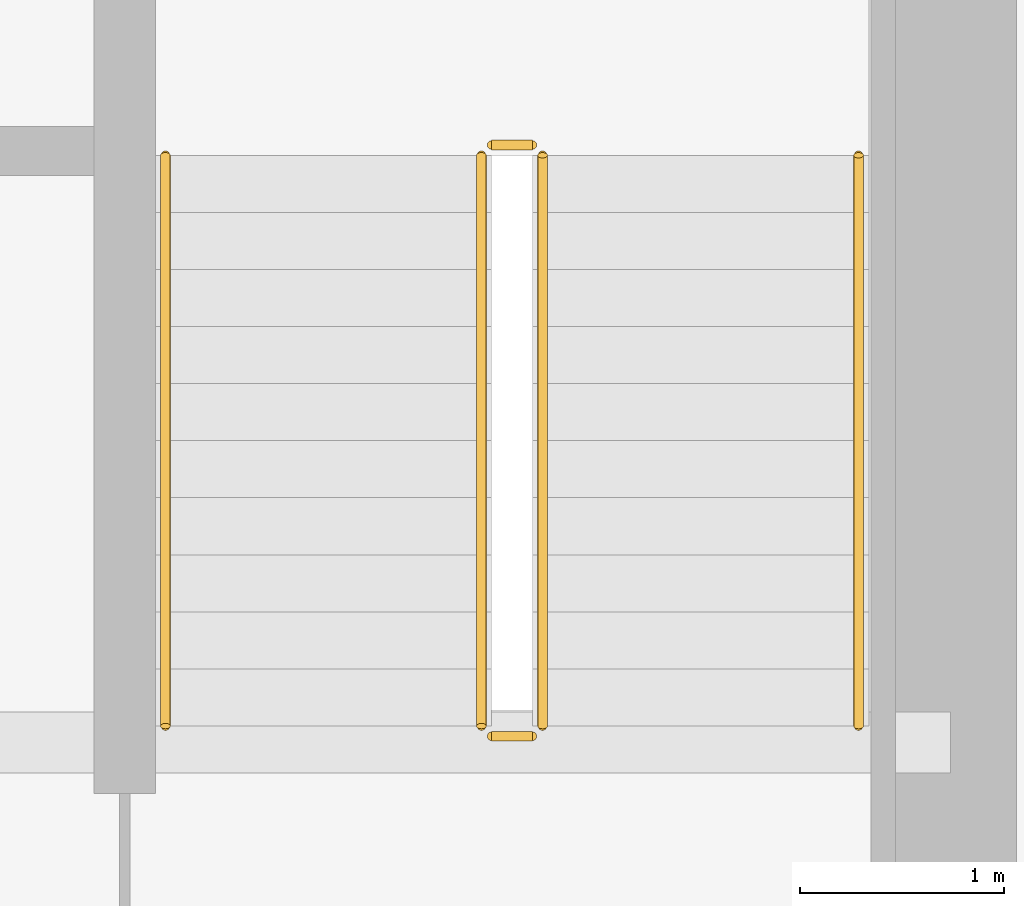
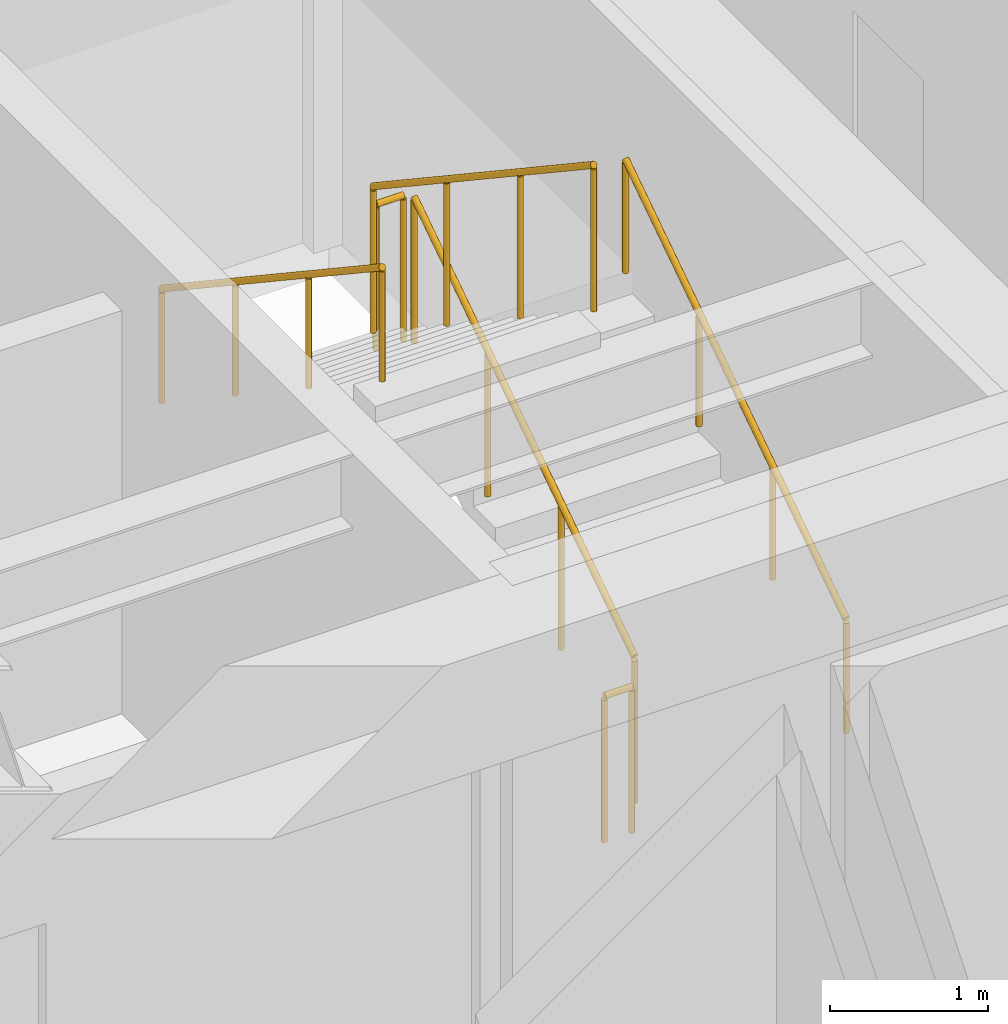
# One storey, part 30 of 30: 6 railings.
"""IFC4 building model written with IfcOpenShell, lengths in metres."""

from ifc_helpers import new_model, si_unit, direction, frame, origin, origin_2d, place, context, subcontext, project, spatial, circle, extrude, source, transform, mapped, material, type_object, type_shapes, element, save


model = new_model("IFC4")

# Units and contexts
model_context = context("Model", 3, precision=1e-05, world=origin(), true_north=direction((0.0, 1.0)))
body_context = subcontext(model_context, "Body", "Model", "MODEL_VIEW")
ifc_project = project(units=[si_unit("LENGTHUNIT", "METRE"), si_unit("AREAUNIT", "SQUARE_METRE"), si_unit("VOLUMEUNIT", "CUBIC_METRE"), si_unit("PLANEANGLEUNIT", "RADIAN"), si_unit("MASSUNIT", "GRAM", prefix="KILO")], contexts=[model_context])

# Site, building, storey
site_placement = place(None, origin())
site = spatial("IfcSite", under=ifc_project, at=site_placement, CompositionType="ELEMENT")
building_placement = place(site_placement, origin())
building = spatial("IfcBuilding", under=site, at=building_placement, Name="Haelvirn Gate Laboratories", CompositionType="ELEMENT")
storey_placement = place(building_placement, frame((0.0, 0.0, 121.5)))
storey = spatial("IfcBuildingStorey", under=building, at=storey_placement, Name="L29", CompositionType="ELEMENT", Elevation=121.5)

# Railings
ifc_material_1 = material(Name="Galvanised steel SM355 & stainless top rail", Category="steel")
railing_type_1 = type_object("IfcRailingType", Name="RL-GUARD-1150", PredefinedType="GUARDRAIL", material=ifc_material_1)
shared_shape_1 = source(origin(), body_context, "Body", "SweptSolid", [
    extrude(circle(Radius=0.02392578125, at=origin_2d()), frame((0.0, 0.0, 1.1259765625), z_axis=(0.0, -0.832452072856, 0.554097055034), x_axis=(1.0, 0.0, 0.0)), (0.0, 0.0, 1.0), 3.363525390625),
    extrude(circle(Radius=0.02099609375, at=origin_2d()), origin(), (0.0, 0.0, 1.0), 1.101806640625),
    extrude(circle(Radius=0.02099609375, at=origin_2d()), frame((0.0, -0.933349609375, 0.621337890625)), (0.0, 0.0, 1.0), 1.101806640625),
    extrude(circle(Radius=0.02099609375, at=origin_2d()), frame((0.0, -1.86669921875, 1.242431640625)), (0.0, 0.0, 1.0), 1.101806640625),
    extrude(circle(Radius=0.02099609375, at=origin_2d()), frame((0.0, -2.800048828125, 1.86376953125)), (0.0, 0.0, 1.0), 1.101806640625),
])
railing_1_placement = place(storey_placement, frame((65.10009765625, 29.5, 2.236328125)))
element("IfcRailing", 1, at=railing_1_placement, inside=storey, type_object=railing_type_1, Name="L29 ST2 stair guard 3", PredefinedType="GUARDRAIL", context=body_context, shape_type="MappedRepresentation", body=[
    mapped(shared_shape_1, transform((0.0, 0.0, 0.0), scale=1.0)),
])
ifc_material_2 = material(Name="Brushed stainless steel 316L", Category="steel")
railing_type_2 = type_object("IfcRailingType", Name="RL-HAND-920", PredefinedType="HANDRAIL", material=ifc_material_2)
shared_shape_2 = source(origin(), body_context, "Body", "SweptSolid", [
    extrude(circle(Radius=0.02392578125, at=origin_2d()), frame((0.0, 0.0, 0.8759765625), z_axis=(0.0, -0.832452072856, 0.554097055034), x_axis=(1.0, 0.0, 0.0)), (0.0, 0.0, 1.0), 3.363525390625),
    extrude(circle(Radius=0.02099609375, at=origin_2d()), origin(), (0.0, 0.0, 1.0), 0.851806640625),
    extrude(circle(Radius=0.02099609375, at=origin_2d()), frame((0.0, -0.933349609375, 0.621337890625)), (0.0, 0.0, 1.0), 0.851806640625),
    extrude(circle(Radius=0.02099609375, at=origin_2d()), frame((0.0, -1.86669921875, 1.242431640625)), (0.0, 0.0, 1.0), 0.851806640625),
    extrude(circle(Radius=0.02099609375, at=origin_2d()), frame((0.0, -2.800048828125, 1.86376953125)), (0.0, 0.0, 1.0), 0.851806640625),
])
railing_2_placement = place(storey_placement, frame((63.550048828125, 29.5, 2.236328125)))
element("IfcRailing", 2, at=railing_2_placement, inside=storey, type_object=railing_type_2, Name="L29 ST2 stair handrail 2", PredefinedType="HANDRAIL", context=body_context, shape_type="MappedRepresentation", body=[
    mapped(shared_shape_2, transform((0.0, 0.0, 0.0), scale=1.0)),
])
shared_shape_3 = source(origin(), body_context, "Body", "SweptSolid", [
    extrude(circle(Radius=0.02392578125, at=origin_2d()), frame((0.0, 0.0, 1.1259765625), z_axis=(0.0, 0.832452072856, 0.554097055034), x_axis=(-1.0, 0.0, 0.0)), (0.0, 0.0, 1.0), 3.363525390625),
    extrude(circle(Radius=0.02099609375, at=origin_2d()), origin(), (0.0, 0.0, 1.0), 1.101806640625),
    extrude(circle(Radius=0.02099609375, at=origin_2d()), frame((0.0, 0.933349609375, 0.621337890625)), (0.0, 0.0, 1.0), 1.101806640625),
    extrude(circle(Radius=0.02099609375, at=origin_2d()), frame((0.0, 1.86669921875, 1.242431640625)), (0.0, 0.0, 1.0), 1.101806640625),
    extrude(circle(Radius=0.02099609375, at=origin_2d()), frame((0.0, 2.800048828125, 1.86376953125)), (0.0, 0.0, 1.0), 1.101806640625),
])
railing_3_placement = place(storey_placement, frame((65.39990234375, 26.699951171875, 0.186279296875)))
element("IfcRailing", 3, at=railing_3_placement, inside=storey, type_object=railing_type_1, Name="L29 ST2 stair guard 1", PredefinedType="GUARDRAIL", context=body_context, shape_type="MappedRepresentation", body=[
    mapped(shared_shape_3, transform((0.0, 0.0, 0.0), scale=1.0)),
])
shared_shape_4 = source(origin(), body_context, "Body", "SweptSolid", [
    extrude(circle(Radius=0.02392578125, at=origin_2d()), frame((0.0, 0.0, 0.8759765625), z_axis=(0.0, 0.832452072856, 0.554097055034), x_axis=(-1.0, 0.0, 0.0)), (0.0, 0.0, 1.0), 3.363525390625),
    extrude(circle(Radius=0.02099609375, at=origin_2d()), origin(), (0.0, 0.0, 1.0), 0.851806640625),
    extrude(circle(Radius=0.02099609375, at=origin_2d()), frame((0.0, 0.933349609375, 0.621337890625)), (0.0, 0.0, 1.0), 0.851806640625),
    extrude(circle(Radius=0.02099609375, at=origin_2d()), frame((0.0, 1.86669921875, 1.242431640625)), (0.0, 0.0, 1.0), 0.851806640625),
    extrude(circle(Radius=0.02099609375, at=origin_2d()), frame((0.0, 2.800048828125, 1.86376953125)), (0.0, 0.0, 1.0), 0.851806640625),
])
type_shapes(railing_type_2, [shared_shape_2, shared_shape_4])
railing_4_placement = place(storey_placement, frame((66.949951171875, 26.699951171875, 0.186279296875)))
element("IfcRailing", 4, at=railing_4_placement, inside=storey, type_object=railing_type_2, Name="L29 ST2 stair handrail 1", PredefinedType="HANDRAIL", context=body_context, shape_type="MappedRepresentation", body=[
    mapped(shared_shape_4, transform((0.0, 0.0, 0.0), scale=1.0)),
])
shared_shape_5 = source(origin(), body_context, "Body", "SweptSolid", [
    extrude(circle(Radius=0.02392578125, at=origin_2d()), frame((0.0, 0.0, 1.1259765625), z_axis=(-1.0, 0.0, 0.0), x_axis=(0.0, -1.0, 0.0)), (0.0, 0.0, 1.0), 0.2001953125),
    extrude(circle(Radius=0.02099609375, at=origin_2d()), origin(), (0.0, 0.0, 1.0), 1.101806640625),
    extrude(circle(Radius=0.02099609375, at=origin_2d()), frame((-0.2001953125, 0.0, 0.0)), (0.0, 0.0, 1.0), 1.101806640625),
])
type_shapes(railing_type_1, [shared_shape_1, shared_shape_3, shared_shape_5])
for number, where, name in (
    (5, (65.35009765625, 29.550048828125, 2.050048828125), "L29 ST2 stair guard 2"),
    (6, (65.35009765625, 26.64990234375, 0.0), "L29 ST2 stair guard 4"),
):
    element("IfcRailing", number, at=place(storey_placement, frame(where)), inside=storey, type_object=railing_type_1, Name=name, PredefinedType="GUARDRAIL", context=body_context, shape_type="MappedRepresentation", body=[
        mapped(shared_shape_5, transform((0.0, 0.0, 0.0), scale=1.0)),
    ])

save(model, "model.ifc")
